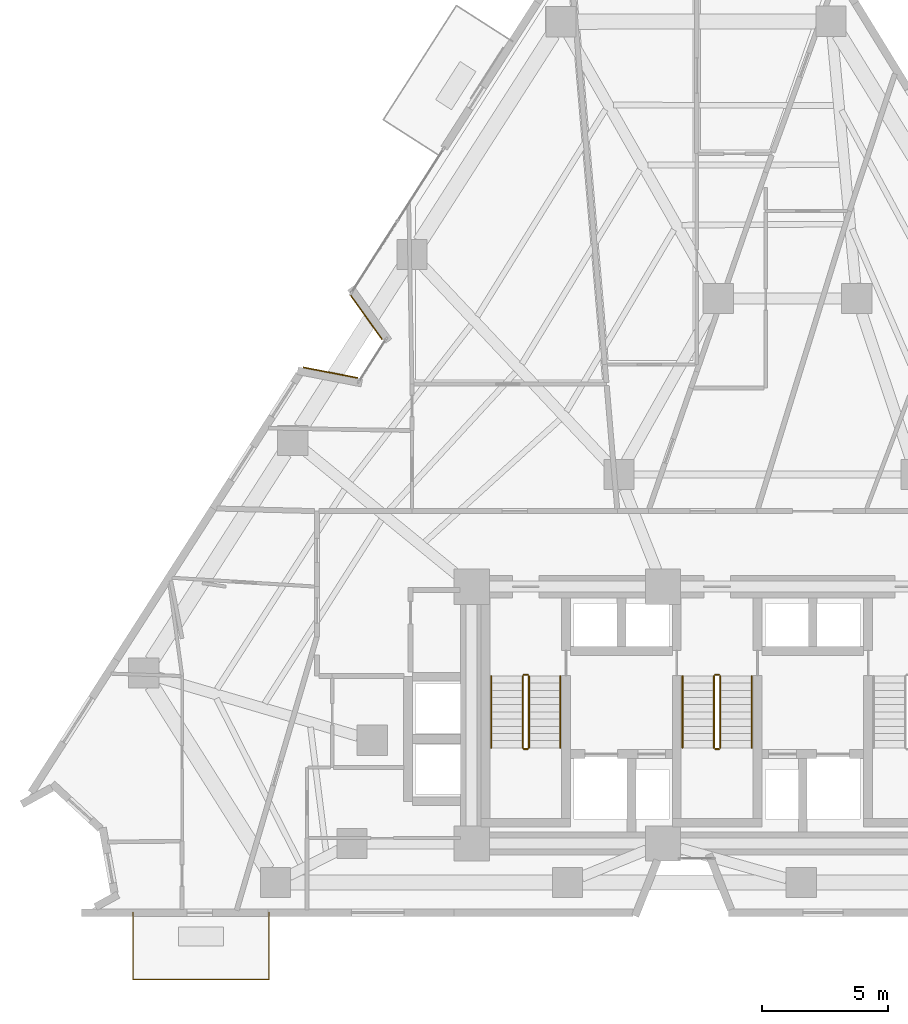
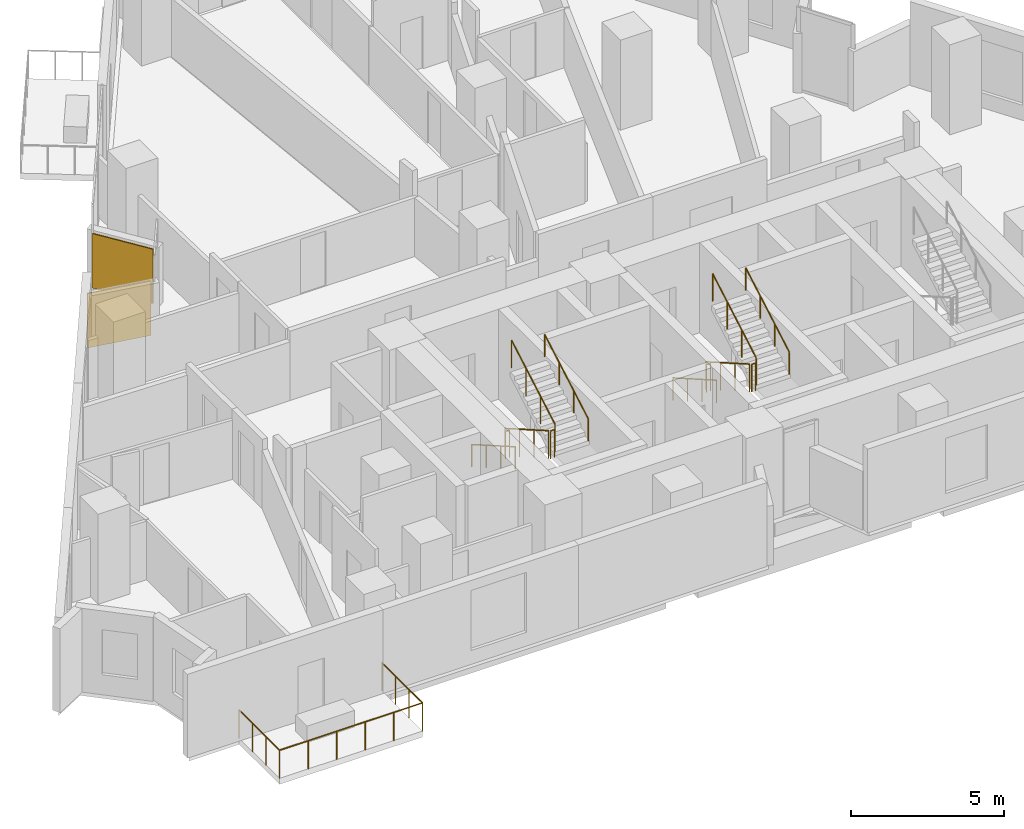
# One storey, part 11 of 13: 13 railings, 2 coverings.
"""IFC4 building model written with IfcOpenShell, lengths in metres."""

from ifc_helpers import new_model, si_unit, direction, frame, origin, origin_2d, place, context, subcontext, project, spatial, rectangle, circle, extrude, material, layer, layer_set, type_object, element, save


model = new_model("IFC4")

# Units and contexts
model_context = context("Model", 3, precision=1e-05, world=origin(), true_north=direction((0.0, 1.0)))
body_context = subcontext(model_context, "Body", "Model", "MODEL_VIEW")
ifc_project = project(units=[si_unit("LENGTHUNIT", "METRE"), si_unit("AREAUNIT", "SQUARE_METRE"), si_unit("VOLUMEUNIT", "CUBIC_METRE"), si_unit("PLANEANGLEUNIT", "RADIAN"), si_unit("MASSUNIT", "GRAM", prefix="KILO")], contexts=[model_context])

# Site, building, storey
site_placement = place(None, origin())
site = spatial("IfcSite", under=ifc_project, at=site_placement, CompositionType="ELEMENT")
building_placement = place(site_placement, origin())
building = spatial("IfcBuilding", under=site, at=building_placement, Name="Almagre Mirador Tower", CompositionType="ELEMENT")
storey_placement = place(building_placement, frame((0.0, 0.0, 89.39990234375)))
storey = spatial("IfcBuildingStorey", under=building, at=storey_placement, Name="L22", CompositionType="ELEMENT", Elevation=89.39990234375)

# Coverings
ifc_material_1 = material(Name="Almagre terracotta architectural cladding", Category="masonry")
ifc_layer = layer(ifc_material_1, 0.044921875)
ifc_layer_set = layer_set([ifc_layer], Name="Almagre terracotta architectural cladding")
covering_type = type_object("IfcCoveringType", Name="COV-CLAD-ALMAGRE", PredefinedType="CLADDING", material=ifc_layer_set)
for number, where, z_axis, x_axis, name in (
    (1, (21.94384765625, 23.24951171875, 0.10009765625), (0.0, 0.0, 1.0), (0.981760154029, -0.190123643878, 0.0), "L22 almagre terracotta pier cladding"),
    (2, (23.359375, 25.45947265625, 0.10009765625), (0.0, 0.0, 1.0), (-0.583002488864, 0.812470367446, 0.0), "L22 almagre terracotta pier cladding"),
):
    element("IfcCovering", number, at=place(storey_placement, frame(where, z_axis=z_axis, x_axis=x_axis)), inside=storey, type_object=covering_type, Name=name, PredefinedType="CLADDING", context=body_context, shape_type="SweptSolid", body=[
        extrude(rectangle(XDim=2.194091796875, YDim=0.044921875, at=origin_2d()), origin(), (0.0, 0.0, 1.0), 2.175048828125),
    ])

# Railings
ifc_material_2 = material(Name="Black anodized aluminium", Category="aluminium")
railing_type_1 = type_object("IfcRailingType", Name="RLG-BAL-1150", PredefinedType="BALUSTRADE", material=ifc_material_2)
railing_1_placement = place(storey_placement, frame((14.10009765625, 1.800048828125, 0.0)))
element("IfcRailing", 3, at=railing_1_placement, inside=storey, type_object=railing_type_1, Name="L22 south balcony balustrade 1", PredefinedType="BALUSTRADE", context=body_context, shape_type="SweptSolid", body=[
    extrude(circle(Radius=0.02392578125, at=origin_2d()), frame((0.0, 0.0, 1.1259765625), z_axis=(0.0, -1.0, 0.0), x_axis=(1.0, 0.0, 0.0)), (0.0, 0.0, 1.0), 2.650146484375),
    extrude(circle(Radius=0.02392578125, at=origin_2d()), frame((0.0, -2.650146484375, 1.1259765625), z_axis=(1.0, 0.0, 0.0), x_axis=(0.0, 1.0, 0.0)), (0.0, 0.0, 1.0), 5.39990234375),
    extrude(circle(Radius=0.02392578125, at=origin_2d()), frame((5.39990234375, -2.650146484375, 1.1259765625), z_axis=(0.0, 1.0, 0.0), x_axis=(-1.0, 0.0, 0.0)), (0.0, 0.0, 1.0), 2.650146484375),
    extrude(circle(Radius=0.02099609375, at=origin_2d()), origin(), (0.0, 0.0, 1.0), 1.101806640625),
    extrude(circle(Radius=0.02099609375, at=origin_2d()), frame((0.0, -0.88330078125, 0.0)), (0.0, 0.0, 1.0), 1.101806640625),
    extrude(circle(Radius=0.02099609375, at=origin_2d()), frame((0.0, -1.766845703125, 0.0)), (0.0, 0.0, 1.0), 1.101806640625),
    extrude(circle(Radius=0.02099609375, at=origin_2d()), frame((0.0, -2.650146484375, 0.0)), (0.0, 0.0, 1.0), 1.101806640625),
    extrude(circle(Radius=0.02099609375, at=origin_2d()), frame((1.080078125, -2.650146484375, 0.0)), (0.0, 0.0, 1.0), 1.101806640625),
    extrude(circle(Radius=0.02099609375, at=origin_2d()), frame((2.159912109375, -2.650146484375, 0.0)), (0.0, 0.0, 1.0), 1.101806640625),
    extrude(circle(Radius=0.02099609375, at=origin_2d()), frame((3.239990234375, -2.650146484375, 0.0)), (0.0, 0.0, 1.0), 1.101806640625),
    extrude(circle(Radius=0.02099609375, at=origin_2d()), frame((4.31982421875, -2.650146484375, 0.0)), (0.0, 0.0, 1.0), 1.101806640625),
    extrude(circle(Radius=0.02099609375, at=origin_2d()), frame((5.39990234375, -2.650146484375, 0.0)), (0.0, 0.0, 1.0), 1.101806640625),
    extrude(circle(Radius=0.02099609375, at=origin_2d()), frame((5.39990234375, -1.766845703125, 0.0)), (0.0, 0.0, 1.0), 1.101806640625),
    extrude(circle(Radius=0.02099609375, at=origin_2d()), frame((5.39990234375, -0.88330078125, 0.0)), (0.0, 0.0, 1.0), 1.101806640625),
    extrude(circle(Radius=0.02099609375, at=origin_2d()), frame((5.39990234375, 0.0, 0.0)), (0.0, 0.0, 1.0), 1.101806640625),
])
ifc_material_3 = material(Name="Painted galvanized steel", Category="steel")
railing_type_2 = type_object("IfcRailingType", Name="RLG-GRD-1100", PredefinedType="GUARDRAIL", material=ifc_material_3)
railing_2_placement = place(storey_placement, frame((29.574951171875, 11.199951171875, 0.163818359375)))
element("IfcRailing", 4, at=railing_2_placement, inside=storey, type_object=railing_type_2, Name="L22 ST-1 stair guard 1", PredefinedType="GUARDRAIL", context=body_context, shape_type="SweptSolid", body=[
    extrude(circle(Radius=0.02392578125, at=origin_2d()), frame((0.0, 0.0, 1.09619140625), z_axis=(0.0, -0.867226363773, 0.497914082927), x_axis=(1.0, 0.0, 0.0)), (0.0, 0.0, 1.0), 3.2861328125),
    extrude(circle(Radius=0.02099609375, at=origin_2d()), origin(), (0.0, 0.0, 1.0), 1.072021484375),
    extrude(circle(Radius=0.02099609375, at=origin_2d()), frame((0.0, -0.949951171875, 0.54541015625)), (0.0, 0.0, 1.0), 1.072021484375),
    extrude(circle(Radius=0.02099609375, at=origin_2d()), frame((0.0, -1.89990234375, 1.0908203125)), (0.0, 0.0, 1.0), 1.072021484375),
    extrude(circle(Radius=0.02099609375, at=origin_2d()), frame((0.0, -2.849853515625, 1.63623046875)), (0.0, 0.0, 1.0), 1.072021484375),
])
railing_3_placement = place(storey_placement, frame((29.625, 8.300048828125, 1.800048828125)))
element("IfcRailing", 5, at=railing_3_placement, inside=storey, type_object=railing_type_2, Name="L22 ST-1 stair guard 2", PredefinedType="GUARDRAIL", context=body_context, shape_type="SweptSolid", body=[
    extrude(circle(Radius=0.02392578125, at=origin_2d()), frame((0.0, 0.0, 1.09619140625), z_axis=(1.0, 0.0, 0.0), x_axis=(0.0, 1.0, 0.0)), (0.0, 0.0, 1.0), 0.14990234375),
    extrude(circle(Radius=0.02099609375, at=origin_2d()), origin(), (0.0, 0.0, 1.0), 1.072021484375),
    extrude(circle(Radius=0.02099609375, at=origin_2d()), frame((0.14990234375, 0.0, 0.0)), (0.0, 0.0, 1.0), 1.072021484375),
])
railing_4_placement = place(storey_placement, frame((29.824951171875, 8.35009765625, 1.963623046875)))
element("IfcRailing", 6, at=railing_4_placement, inside=storey, type_object=railing_type_2, Name="L22 ST-1 stair guard 3", PredefinedType="GUARDRAIL", context=body_context, shape_type="SweptSolid", body=[
    extrude(circle(Radius=0.02392578125, at=origin_2d()), frame((0.0, 0.0, 1.09619140625), z_axis=(0.0, 0.867194282975, 0.497969954491), x_axis=(-1.0, 0.0, 0.0)), (0.0, 0.0, 1.0), 3.286376953125),
    extrude(circle(Radius=0.02099609375, at=origin_2d()), origin(), (0.0, 0.0, 1.0), 1.072021484375),
    extrude(circle(Radius=0.02099609375, at=origin_2d()), frame((0.0, 0.949951171875, 0.54541015625)), (0.0, 0.0, 1.0), 1.072021484375),
    extrude(circle(Radius=0.02099609375, at=origin_2d()), frame((0.0, 1.89990234375, 1.091064453125)), (0.0, 0.0, 1.0), 1.072021484375),
    extrude(circle(Radius=0.02099609375, at=origin_2d()), frame((0.0, 2.849853515625, 1.636474609375)), (0.0, 0.0, 1.0), 1.072021484375),
])
railing_5_placement = place(storey_placement, frame((29.625, 11.25, 0.0)))
element("IfcRailing", 7, at=railing_5_placement, inside=storey, type_object=railing_type_2, Name="L22 ST-1 stair guard 4", PredefinedType="GUARDRAIL", context=body_context, shape_type="SweptSolid", body=[
    extrude(circle(Radius=0.02392578125, at=origin_2d()), frame((0.0, 0.0, 1.09619140625), z_axis=(1.0, 0.0, 0.0), x_axis=(0.0, 1.0, 0.0)), (0.0, 0.0, 1.0), 0.14990234375),
    extrude(circle(Radius=0.02099609375, at=origin_2d()), origin(), (0.0, 0.0, 1.0), 1.072021484375),
    extrude(circle(Radius=0.02099609375, at=origin_2d()), frame((0.14990234375, 0.0, 0.0)), (0.0, 0.0, 1.0), 1.072021484375),
])
railing_6_placement = place(storey_placement, frame((37.175048828125, 11.199951171875, 0.163818359375)))
element("IfcRailing", 8, at=railing_6_placement, inside=storey, type_object=railing_type_2, Name="L22 ST-2 stair guard 1", PredefinedType="GUARDRAIL", context=body_context, shape_type="SweptSolid", body=[
    extrude(circle(Radius=0.02392578125, at=origin_2d()), frame((0.0, 0.0, 1.09619140625), z_axis=(0.0, -0.867226363773, 0.497914082927), x_axis=(1.0, 0.0, 0.0)), (0.0, 0.0, 1.0), 3.2861328125),
    extrude(circle(Radius=0.02099609375, at=origin_2d()), origin(), (0.0, 0.0, 1.0), 1.072021484375),
    extrude(circle(Radius=0.02099609375, at=origin_2d()), frame((0.0, -0.949951171875, 0.54541015625)), (0.0, 0.0, 1.0), 1.072021484375),
    extrude(circle(Radius=0.02099609375, at=origin_2d()), frame((0.0, -1.89990234375, 1.0908203125)), (0.0, 0.0, 1.0), 1.072021484375),
    extrude(circle(Radius=0.02099609375, at=origin_2d()), frame((0.0, -2.849853515625, 1.63623046875)), (0.0, 0.0, 1.0), 1.072021484375),
])
railing_7_placement = place(storey_placement, frame((37.22509765625, 8.300048828125, 1.800048828125)))
element("IfcRailing", 9, at=railing_7_placement, inside=storey, type_object=railing_type_2, Name="L22 ST-2 stair guard 2", PredefinedType="GUARDRAIL", context=body_context, shape_type="SweptSolid", body=[
    extrude(circle(Radius=0.02392578125, at=origin_2d()), frame((0.0, 0.0, 1.09619140625), z_axis=(1.0, 0.0, 0.0), x_axis=(0.0, 1.0, 0.0)), (0.0, 0.0, 1.0), 0.14990234375),
    extrude(circle(Radius=0.02099609375, at=origin_2d()), origin(), (0.0, 0.0, 1.0), 1.072021484375),
    extrude(circle(Radius=0.02099609375, at=origin_2d()), frame((0.14990234375, 0.0, 0.0)), (0.0, 0.0, 1.0), 1.072021484375),
])
railing_8_placement = place(storey_placement, frame((37.425048828125, 8.35009765625, 1.963623046875)))
element("IfcRailing", 10, at=railing_8_placement, inside=storey, type_object=railing_type_2, Name="L22 ST-2 stair guard 3", PredefinedType="GUARDRAIL", context=body_context, shape_type="SweptSolid", body=[
    extrude(circle(Radius=0.02392578125, at=origin_2d()), frame((0.0, 0.0, 1.09619140625), z_axis=(0.0, 0.867194282975, 0.497969954491), x_axis=(-1.0, 0.0, 0.0)), (0.0, 0.0, 1.0), 3.286376953125),
    extrude(circle(Radius=0.02099609375, at=origin_2d()), origin(), (0.0, 0.0, 1.0), 1.072021484375),
    extrude(circle(Radius=0.02099609375, at=origin_2d()), frame((0.0, 0.949951171875, 0.54541015625)), (0.0, 0.0, 1.0), 1.072021484375),
    extrude(circle(Radius=0.02099609375, at=origin_2d()), frame((0.0, 1.89990234375, 1.091064453125)), (0.0, 0.0, 1.0), 1.072021484375),
    extrude(circle(Radius=0.02099609375, at=origin_2d()), frame((0.0, 2.849853515625, 1.636474609375)), (0.0, 0.0, 1.0), 1.072021484375),
])
railing_9_placement = place(storey_placement, frame((37.22509765625, 11.25, 0.0)))
element("IfcRailing", 11, at=railing_9_placement, inside=storey, type_object=railing_type_2, Name="L22 ST-2 stair guard 4", PredefinedType="GUARDRAIL", context=body_context, shape_type="SweptSolid", body=[
    extrude(circle(Radius=0.02392578125, at=origin_2d()), frame((0.0, 0.0, 1.09619140625), z_axis=(1.0, 0.0, 0.0), x_axis=(0.0, 1.0, 0.0)), (0.0, 0.0, 1.0), 0.14990234375),
    extrude(circle(Radius=0.02099609375, at=origin_2d()), origin(), (0.0, 0.0, 1.0), 1.072021484375),
    extrude(circle(Radius=0.02099609375, at=origin_2d()), frame((0.14990234375, 0.0, 0.0)), (0.0, 0.0, 1.0), 1.072021484375),
])
ifc_material_4 = material(Name="Brushed stainless steel", Category="steel")
railing_type_3 = type_object("IfcRailingType", Name="RLG-HND-915", PredefinedType="HANDRAIL", material=ifc_material_4)
railing_10_placement = place(storey_placement, frame((28.324951171875, 11.199951171875, 0.163818359375)))
element("IfcRailing", 12, at=railing_10_placement, inside=storey, type_object=railing_type_3, Name="L22 ST-1 stair handrail 1", PredefinedType="HANDRAIL", context=body_context, shape_type="SweptSolid", body=[
    extrude(circle(Radius=0.02392578125, at=origin_2d()), frame((0.0, 0.0, 0.89111328125), z_axis=(0.0, -0.867226363773, 0.497914082927), x_axis=(1.0, 0.0, 0.0)), (0.0, 0.0, 1.0), 3.2861328125),
    extrude(circle(Radius=0.02099609375, at=origin_2d()), origin(), (0.0, 0.0, 1.0), 0.866943359375),
    extrude(circle(Radius=0.02099609375, at=origin_2d()), frame((0.0, -0.949951171875, 0.54541015625)), (0.0, 0.0, 1.0), 0.866943359375),
    extrude(circle(Radius=0.02099609375, at=origin_2d()), frame((0.0, -1.89990234375, 1.0908203125)), (0.0, 0.0, 1.0), 0.866943359375),
    extrude(circle(Radius=0.02099609375, at=origin_2d()), frame((0.0, -2.849853515625, 1.63623046875)), (0.0, 0.0, 1.0), 0.866943359375),
])
railing_11_placement = place(storey_placement, frame((31.074951171875, 8.35009765625, 1.963623046875)))
element("IfcRailing", 13, at=railing_11_placement, inside=storey, type_object=railing_type_3, Name="L22 ST-1 stair handrail 2", PredefinedType="HANDRAIL", context=body_context, shape_type="SweptSolid", body=[
    extrude(circle(Radius=0.02392578125, at=origin_2d()), frame((0.0, 0.0, 0.89111328125), z_axis=(0.0, 0.867194282975, 0.497969954491), x_axis=(-1.0, 0.0, 0.0)), (0.0, 0.0, 1.0), 3.286376953125),
    extrude(circle(Radius=0.02099609375, at=origin_2d()), origin(), (0.0, 0.0, 1.0), 0.866943359375),
    extrude(circle(Radius=0.02099609375, at=origin_2d()), frame((0.0, 0.949951171875, 0.54541015625)), (0.0, 0.0, 1.0), 0.866943359375),
    extrude(circle(Radius=0.02099609375, at=origin_2d()), frame((0.0, 1.89990234375, 1.091064453125)), (0.0, 0.0, 1.0), 0.866943359375),
    extrude(circle(Radius=0.02099609375, at=origin_2d()), frame((0.0, 2.849853515625, 1.636474609375)), (0.0, 0.0, 1.0), 0.866943359375),
])
railing_12_placement = place(storey_placement, frame((35.925048828125, 11.199951171875, 0.163818359375)))
element("IfcRailing", 14, at=railing_12_placement, inside=storey, type_object=railing_type_3, Name="L22 ST-2 stair handrail 1", PredefinedType="HANDRAIL", context=body_context, shape_type="SweptSolid", body=[
    extrude(circle(Radius=0.02392578125, at=origin_2d()), frame((0.0, 0.0, 0.89111328125), z_axis=(0.0, -0.867226363773, 0.497914082927), x_axis=(1.0, 0.0, 0.0)), (0.0, 0.0, 1.0), 3.2861328125),
    extrude(circle(Radius=0.02099609375, at=origin_2d()), origin(), (0.0, 0.0, 1.0), 0.866943359375),
    extrude(circle(Radius=0.02099609375, at=origin_2d()), frame((0.0, -0.949951171875, 0.54541015625)), (0.0, 0.0, 1.0), 0.866943359375),
    extrude(circle(Radius=0.02099609375, at=origin_2d()), frame((0.0, -1.89990234375, 1.0908203125)), (0.0, 0.0, 1.0), 0.866943359375),
    extrude(circle(Radius=0.02099609375, at=origin_2d()), frame((0.0, -2.849853515625, 1.63623046875)), (0.0, 0.0, 1.0), 0.866943359375),
])
railing_13_placement = place(storey_placement, frame((38.675048828125, 8.35009765625, 1.963623046875)))
element("IfcRailing", 15, at=railing_13_placement, inside=storey, type_object=railing_type_3, Name="L22 ST-2 stair handrail 2", PredefinedType="HANDRAIL", context=body_context, shape_type="SweptSolid", body=[
    extrude(circle(Radius=0.02392578125, at=origin_2d()), frame((0.0, 0.0, 0.89111328125), z_axis=(0.0, 0.867194282975, 0.497969954491), x_axis=(-1.0, 0.0, 0.0)), (0.0, 0.0, 1.0), 3.286376953125),
    extrude(circle(Radius=0.02099609375, at=origin_2d()), origin(), (0.0, 0.0, 1.0), 0.866943359375),
    extrude(circle(Radius=0.02099609375, at=origin_2d()), frame((0.0, 0.949951171875, 0.54541015625)), (0.0, 0.0, 1.0), 0.866943359375),
    extrude(circle(Radius=0.02099609375, at=origin_2d()), frame((0.0, 1.89990234375, 1.091064453125)), (0.0, 0.0, 1.0), 0.866943359375),
    extrude(circle(Radius=0.02099609375, at=origin_2d()), frame((0.0, 2.849853515625, 1.636474609375)), (0.0, 0.0, 1.0), 0.866943359375),
])

save(model, "model.ifc")
